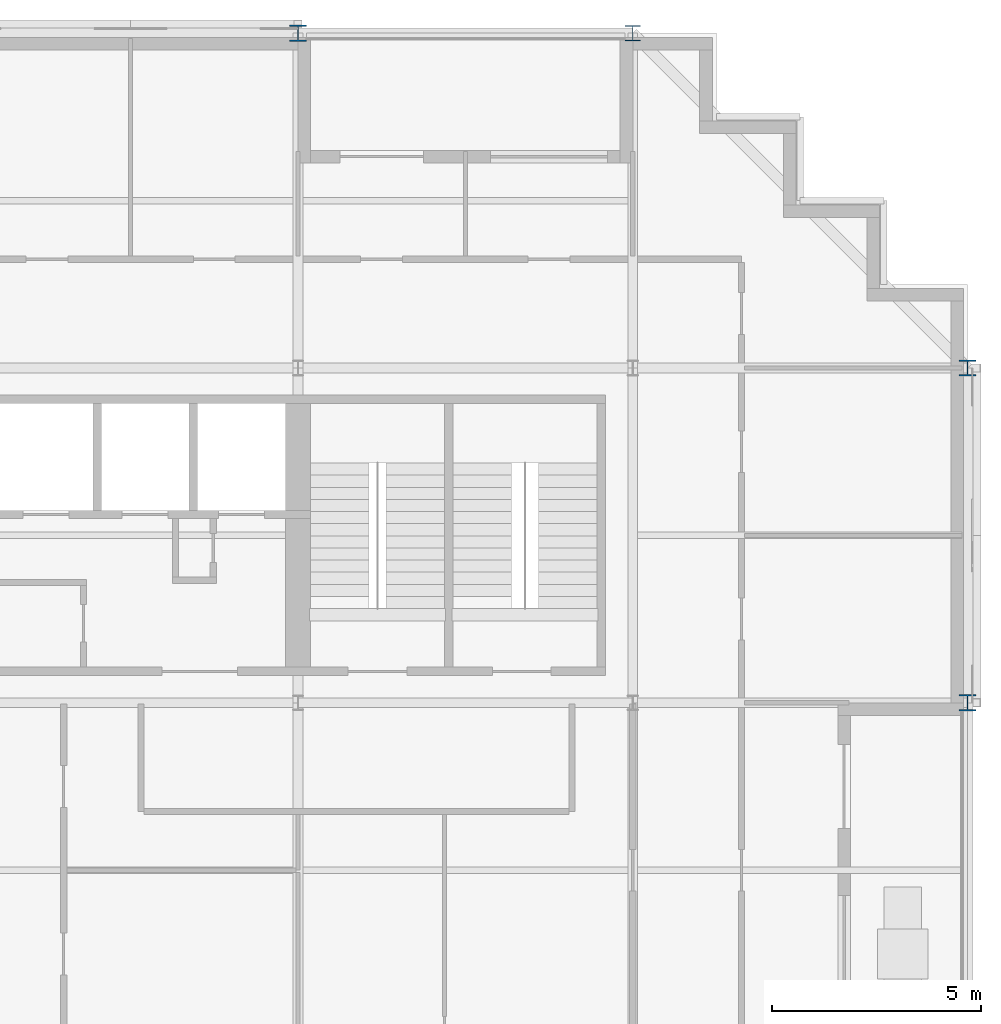
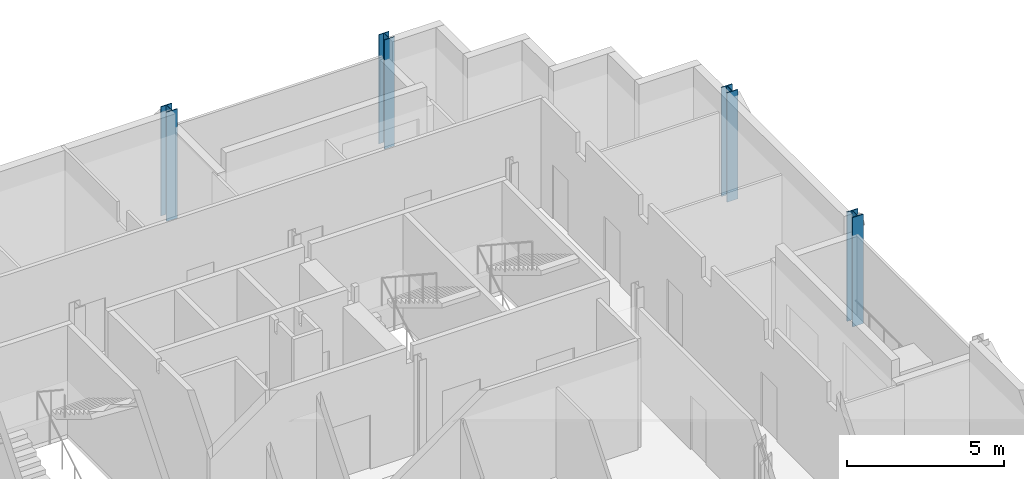
# One storey, part 3 of 15: 4 columns.
"""IFC4 building model written with IfcOpenShell, lengths in metres."""

from ifc_helpers import new_model, si_unit, direction, frame, origin, origin_2d, place, context, subcontext, project, spatial, i_section, extrude, material, material_profile, profile_set, type_object, element, save


model = new_model("IFC4")

# Units and contexts
model_context = context("Model", 3, precision=1e-05, world=origin(), true_north=direction((0.0, 1.0)))
body_context = subcontext(model_context, "Body", "Model", "MODEL_VIEW")
ifc_project = project(units=[si_unit("LENGTHUNIT", "METRE"), si_unit("AREAUNIT", "SQUARE_METRE"), si_unit("VOLUMEUNIT", "CUBIC_METRE"), si_unit("PLANEANGLEUNIT", "RADIAN"), si_unit("MASSUNIT", "GRAM", prefix="KILO")], contexts=[model_context])

# Site, building, storey
site_placement = place(None, origin())
site = spatial("IfcSite", under=ifc_project, at=site_placement, CompositionType="ELEMENT")
building_placement = place(site_placement, origin())
building = spatial("IfcBuilding", under=site, at=building_placement, Name="Immortelle Media Tower", CompositionType="ELEMENT")
storey_placement = place(building_placement, frame((0.0, 0.0, 105.199951171875)))
storey = spatial("IfcBuildingStorey", under=building, at=storey_placement, Name="L20", CompositionType="ELEMENT", Elevation=105.199951171875)

# Columns
ifc_material = material(Name="Steel ASTM A992 Gr 50", Category="steel")
ifc_material_profile_1 = material_profile(ifc_material, i_section(OverallWidth=0.373046875, OverallDepth=0.367919921875, WebThickness=0.014892578125, FlangeThickness=0.02392578125, at=origin_2d()), Name="W14x120")
ifc_profile_set_1 = profile_set([ifc_material_profile_1], Name="Steel ASTM A992 Gr 50")
column_type_1 = type_object("IfcColumnType", Name="W14x120 column", PredefinedType="COLUMN", material=ifc_profile_set_1)
column_placement = place(storey_placement, frame((40.0, 48.0, 0.0), z_axis=(0.0, 0.0, 1.0), x_axis=(1.0, 0.0, 0.0)))
element("IfcColumn", 1, at=column_placement, inside=storey, type_object=column_type_1, Name="Column 6/G", PredefinedType="COLUMN", context=body_context, shape_type="SweptSolid", body=[
    extrude(i_section(OverallWidth=0.373046875, OverallDepth=0.367919921875, WebThickness=0.014892578125, FlangeThickness=0.02392578125, at=origin_2d()), origin(), (0.0, 0.0, 1.0), 4.25),
])
ifc_material_profile_2 = material_profile(ifc_material, i_section(OverallWidth=0.39892578125, OverallDepth=0.385986328125, WebThickness=0.02099609375, FlangeThickness=0.032958984375, at=origin_2d()), Name="W14x176")
ifc_profile_set_2 = profile_set([ifc_material_profile_2], Name="Steel ASTM A992 Gr 50")
column_type_2 = type_object("IfcColumnType", Name="W14x176 column", PredefinedType="COLUMN", material=ifc_profile_set_2)
for number, where, z_axis, x_axis, name in (
    (2, (32.0, 48.0, 0.0), (0.0, 0.0, 1.0), (1.0, 0.0, 0.0), "Column 5/G"),
    (3, (48.0, 32.0, 0.0), (0.0, 0.0, 1.0), (1.0, 0.0, 0.0), "Column 7/E"),
    (4, (48.0, 40.0, 0.0), (0.0, 0.0, 1.0), (1.0, 0.0, 0.0), "Column 7/F"),
):
    element("IfcColumn", number, at=place(storey_placement, frame(where, z_axis=z_axis, x_axis=x_axis)), inside=storey, type_object=column_type_2, Name=name, PredefinedType="COLUMN", context=body_context, shape_type="SweptSolid", body=[
        extrude(i_section(OverallWidth=0.39892578125, OverallDepth=0.385986328125, WebThickness=0.02099609375, FlangeThickness=0.032958984375, at=origin_2d()), origin(), (0.0, 0.0, 1.0), 4.25),
    ])

save(model, "model.ifc")
